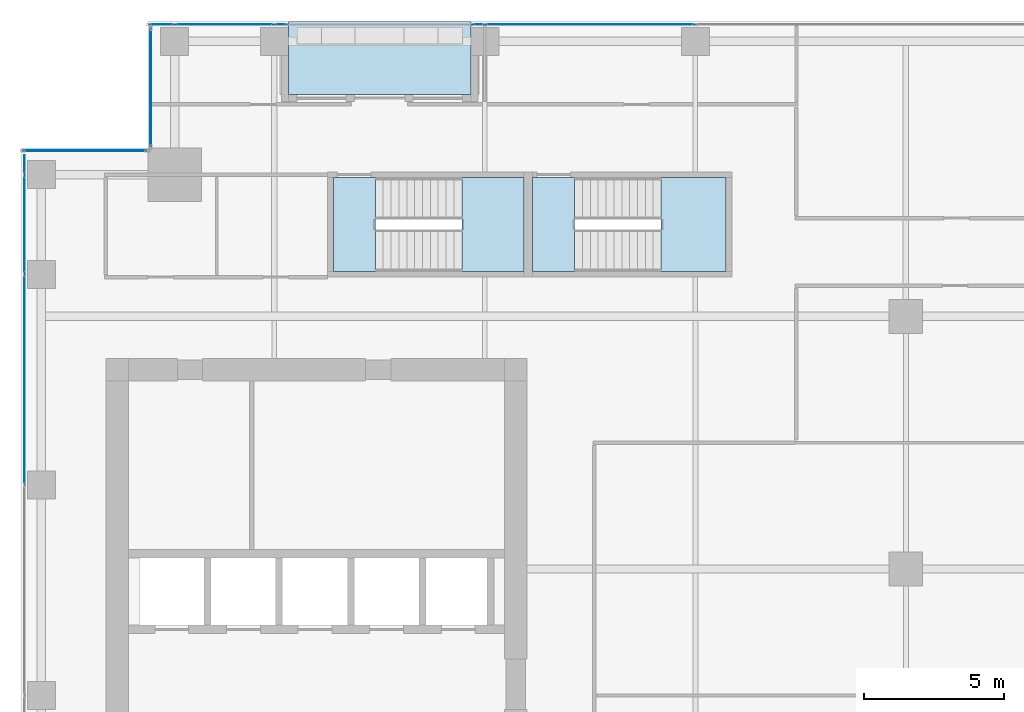
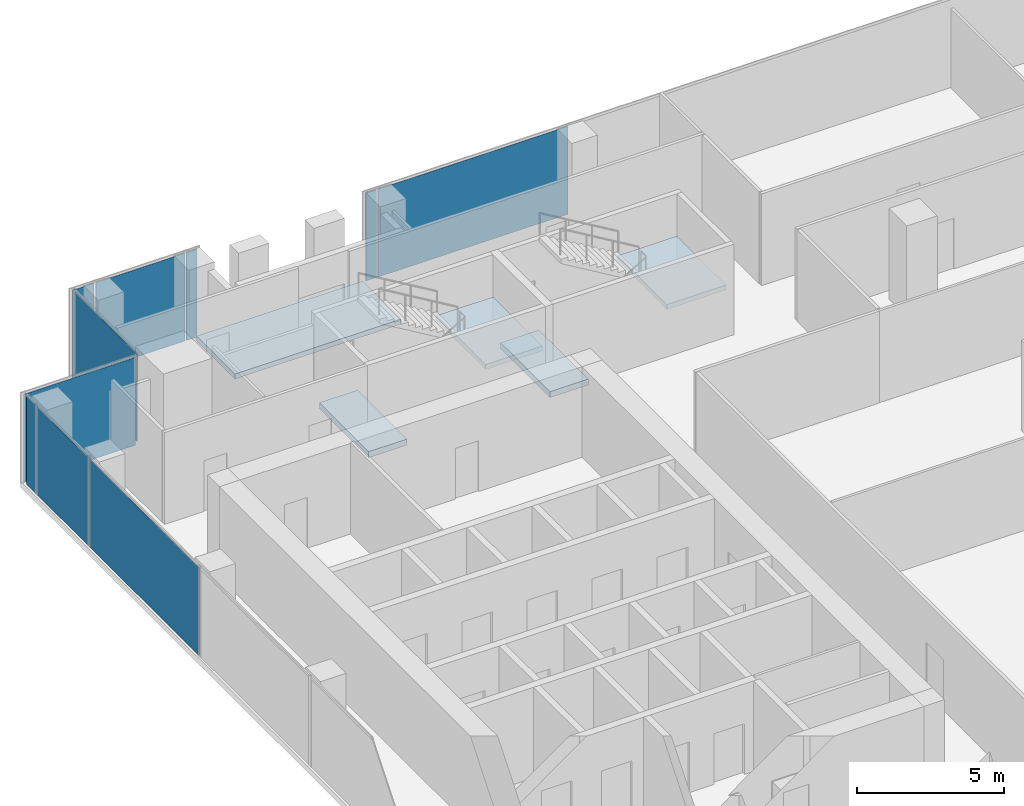
# One storey, part 30 of 38: 10 plates, 5 slabs, 7 elements without a shape of their own.
"""IFC4 building model written with IfcOpenShell, lengths in metres."""

from ifc_helpers import new_model, si_unit, direction, frame, origin, origin_2d, place, context, subcontext, project, spatial, polyline, rectangle, outline, extrude, source, transform, mapped, material, layer, layer_set, type_object, element, aggregate, save


model = new_model("IFC4")

# Units and contexts
model_context = context("Model", 3, precision=1e-05, world=origin(), true_north=direction((0.0, 1.0)))
body_context = subcontext(model_context, "Body", "Model", "MODEL_VIEW")
ifc_project = project(units=[si_unit("LENGTHUNIT", "METRE"), si_unit("AREAUNIT", "SQUARE_METRE"), si_unit("VOLUMEUNIT", "CUBIC_METRE"), si_unit("PLANEANGLEUNIT", "RADIAN"), si_unit("MASSUNIT", "GRAM", prefix="KILO")], contexts=[model_context])

# Site, building, storey
site_placement = place(None, origin())
site = spatial("IfcSite", under=ifc_project, at=site_placement, CompositionType="ELEMENT")
building_placement = place(site_placement, origin())
building = spatial("IfcBuilding", under=site, at=building_placement, Name="Khomas Fold Tower", CompositionType="ELEMENT")
storey_placement = place(building_placement, frame((0.0, 0.0, 196.699951171875)))
storey = spatial("IfcBuildingStorey", under=building, at=storey_placement, Name="L43", CompositionType="ELEMENT", Elevation=196.699951171875)

# Curtain wall, plate
ifc_material_1 = material(Name="Aluminium framed double glazing", Category="aluminium")
curtain_wall_type = type_object("IfcCurtainWallType", Name="SK-Unitised clear-glass wall, office floors CW2", PredefinedType="NOTDEFINED", material=ifc_material_1)
curtain_wall_1_placement = place(storey_placement, origin())
curtain_wall_1 = element("IfcCurtainWall", 1, at=curtain_wall_1_placement, inside=storey, type_object=curtain_wall_type, Name="CW2 corner return L43 08", PredefinedType="NOTDEFINED")
ifc_material_2 = material(Name="Clear double glazed unit")
ifc_layer_1 = layer(ifc_material_2, 0.030029296875)
ifc_layer_set_1 = layer_set([ifc_layer_1], Name="Clear double glazed unit")
plate_type = type_object("IfcPlateType", Name="SK-Unitised clear-glass wall, office floors glass panel CW2-P", PredefinedType="CURTAIN_PANEL", material=ifc_layer_set_1)
shared_shape_1 = source(origin(), body_context, "Body", "SweptSolid", [
    extrude(rectangle(XDim=4.3798828125, YDim=0.030029296875, at=origin_2d()), origin(), (0.0, 0.0, 1.0), 3.639892578125),
])
plate_1_placement = place(storey_placement, frame((5.25, 46.39990234375, 0.0), z_axis=(0.0, 0.0, 1.0), x_axis=(-1.0, 0.0, 0.0)))
plate_1 = element("IfcPlate", 2, at=plate_1_placement, type_object=plate_type, Name="CW2 glass panel 1", PredefinedType="CURTAIN_PANEL", context=body_context, shape_type="MappedRepresentation", body=[
    mapped(shared_shape_1, transform((0.0, 0.0, 0.0))),
])
aggregate(curtain_wall_1, [plate_1])

curtain_wall_2_placement = place(storey_placement, origin())
curtain_wall_2 = element("IfcCurtainWall", 3, at=curtain_wall_2_placement, inside=storey, type_object=curtain_wall_type, Name="CW2 run L43 09-0", PredefinedType="NOTDEFINED")
shared_shape_2 = source(origin(), body_context, "Body", "SweptSolid", [
    extrude(rectangle(XDim=0.659912109375, YDim=0.030029296875, at=origin_2d()), origin(), (0.0, 0.0, 1.0), 3.639892578125),
])
plate_2_placement = place(storey_placement, frame((3.10009765625, 45.909912109375, 0.0), z_axis=(0.0, 0.0, 1.0), x_axis=(0.0, -1.0, 0.0)))
plate_2 = element("IfcPlate", 4, at=plate_2_placement, type_object=plate_type, Name="CW2 glass panel 1", PredefinedType="CURTAIN_PANEL", context=body_context, shape_type="MappedRepresentation", body=[
    mapped(shared_shape_2, transform((0.0, 0.0, 0.0))),
])

curtain_wall_3_placement = place(storey_placement, origin())
curtain_wall_3 = element("IfcCurtainWall", 5, at=curtain_wall_3_placement, inside=storey, type_object=curtain_wall_type, Name="CW2 run L43 06-1", PredefinedType="NOTDEFINED")
shared_shape_3 = source(origin(), body_context, "Body", "SweptSolid", [
    extrude(rectangle(XDim=3.489990234375, YDim=0.030029296875, at=origin_2d()), origin(), (0.0, 0.0, 1.0), 3.639892578125),
])
plate_3_placement = place(storey_placement, frame((10.22509765625, 50.89990234375, 0.0), z_axis=(0.0, 0.0, 1.0), x_axis=(-1.0, 0.0, 0.0)))
plate_3 = element("IfcPlate", 6, at=plate_3_placement, type_object=plate_type, Name="CW2 glass panel 2", PredefinedType="CURTAIN_PANEL", context=body_context, shape_type="MappedRepresentation", body=[
    mapped(shared_shape_3, transform((0.0, 0.0, 0.0))),
])

# Plate
plate_4_placement = place(storey_placement, frame((3.10009765625, 43.77490234375, 0.0), z_axis=(0.0, 0.0, 1.0), x_axis=(0.0, -1.0, 0.0)))
plate_4 = element("IfcPlate", 7, at=plate_4_placement, type_object=plate_type, Name="CW2 glass panel 2", PredefinedType="CURTAIN_PANEL", context=body_context, shape_type="MappedRepresentation", body=[
    mapped(shared_shape_3, transform((0.0, 0.0, 0.0))),
])

# Curtain wall, plate
curtain_wall_4_placement = place(storey_placement, origin())
curtain_wall_4 = element("IfcCurtainWall", 8, at=curtain_wall_4_placement, inside=storey, type_object=curtain_wall_type, Name="CW2 run L43 06-0", PredefinedType="NOTDEFINED")
shared_shape_4 = source(origin(), body_context, "Body", "SweptSolid", [
    extrude(rectangle(XDim=7.43994140625, YDim=0.030029296875, at=origin_2d()), origin(), (0.0, 0.0, 1.0), 3.639892578125),
])
plate_5_placement = place(storey_placement, frame((23.25, 50.89990234375, 0.0), z_axis=(0.0, 0.0, 1.0), x_axis=(-1.0, 0.0, 0.0)))
plate_5 = element("IfcPlate", 9, at=plate_5_placement, type_object=plate_type, Name="CW2 glass panel 3", PredefinedType="CURTAIN_PANEL", context=body_context, shape_type="MappedRepresentation", body=[
    mapped(shared_shape_4, transform((0.0, 0.0, 0.0))),
])

# Plate
plate_6_placement = place(storey_placement, frame((3.10009765625, 38.25, 0.0), z_axis=(0.0, 0.0, 1.0), x_axis=(0.0, -1.0, 0.0)))
plate_6 = element("IfcPlate", 10, at=plate_6_placement, type_object=plate_type, Name="CW2 glass panel 3", PredefinedType="CURTAIN_PANEL", context=body_context, shape_type="MappedRepresentation", body=[
    mapped(shared_shape_4, transform((0.0, 0.0, 0.0))),
])

aggregate(curtain_wall_2, [plate_2, plate_4, plate_6])

# Curtain wall, plate
curtain_wall_5_placement = place(storey_placement, origin())
curtain_wall_5 = element("IfcCurtainWall", 11, at=curtain_wall_5_placement, inside=storey, type_object=curtain_wall_type, Name="CW2 corner return L43 07", PredefinedType="NOTDEFINED")
shared_shape_5 = source(origin(), body_context, "Body", "SweptSolid", [
    extrude(rectangle(XDim=4.179931640625, YDim=0.030029296875, at=origin_2d()), origin(), (0.0, 0.0, 1.0), 3.639892578125),
])
plate_7_placement = place(storey_placement, frame((7.60009765625, 48.64990234375, 0.0), z_axis=(0.0, 0.0, 1.0), x_axis=(0.0, -1.0, 0.0)))
plate_7 = element("IfcPlate", 12, at=plate_7_placement, type_object=plate_type, Name="CW2 glass panel 1", PredefinedType="CURTAIN_PANEL", context=body_context, shape_type="MappedRepresentation", body=[
    mapped(shared_shape_5, transform((0.0, 0.0, 0.0))),
])
aggregate(curtain_wall_5, [plate_7])

# Plate
shared_shape_6 = source(origin(), body_context, "Body", "SweptSolid", [
    extrude(rectangle(XDim=0.409912109375, YDim=0.030029296875, at=origin_2d()), origin(), (0.0, 0.0, 1.0), 3.639892578125),
])
plate_8_placement = place(storey_placement, frame((19.264892578125, 50.89990234375, 0.0), z_axis=(0.0, 0.0, 1.0), x_axis=(-1.0, 0.0, 0.0)))
plate_8 = element("IfcPlate", 13, at=plate_8_placement, type_object=plate_type, Name="CW2 glass panel 4", PredefinedType="CURTAIN_PANEL", context=body_context, shape_type="MappedRepresentation", body=[
    mapped(shared_shape_6, transform((0.0, 0.0, 0.0))),
])

aggregate(curtain_wall_4, [plate_5, plate_8])

plate_9_placement = place(storey_placement, frame((12.235107421875, 50.89990234375, 0.0), z_axis=(0.0, 0.0, 1.0), x_axis=(-1.0, 0.0, 0.0)))
plate_9 = element("IfcPlate", 14, at=plate_9_placement, type_object=plate_type, Name="CW2 glass panel 1", PredefinedType="CURTAIN_PANEL", context=body_context, shape_type="MappedRepresentation", body=[
    mapped(shared_shape_6, transform((0.0, 0.0, 0.0))),
])

shared_shape_7 = source(origin(), body_context, "Body", "SweptSolid", [
    extrude(rectangle(XDim=0.860107421875, YDim=0.030029296875, at=origin_2d()), origin(), (0.0, 0.0, 1.0), 3.639892578125),
])
plate_10_placement = place(storey_placement, frame((7.989990234375, 50.89990234375, 0.0), z_axis=(0.0, 0.0, 1.0), x_axis=(-1.0, 0.0, 0.0)))
plate_10 = element("IfcPlate", 15, at=plate_10_placement, type_object=plate_type, Name="CW2 glass panel 3", PredefinedType="CURTAIN_PANEL", context=body_context, shape_type="MappedRepresentation", body=[
    mapped(shared_shape_7, transform((0.0, 0.0, 0.0))),
])

aggregate(curtain_wall_3, [plate_9, plate_3, plate_10])

# Slab
ifc_material_3 = material(Name="Concrete C40/50", Category="concrete")
ifc_layer_2 = layer(ifc_material_3, 0.205078125)
ifc_layer_set_2 = layer_set([ifc_layer_2], Name="Concrete C40/50")
slab_type_1 = type_object("IfcSlabType", Name="BL-Balcony deck 205", PredefinedType="FLOOR", material=ifc_layer_set_2)
shared_shape_8 = source(origin(), body_context, "Body", "SweptSolid", [
    extrude(outline(polyline([(12.5, 48.39990234375), (19.0, 48.39990234375), (19.0, 51.0), (12.5, 51.0), (12.5, 48.39990234375)])), origin(), (0.0, 0.0, 1.0), 0.205078125),
])
slab_1_placement = place(storey_placement, frame((0.0, 0.0, -0.25)))
element("IfcSlab", 16, at=slab_1_placement, inside=storey, type_object=slab_type_1, Name="Balcony deck BAL-L43-N1", PredefinedType="FLOOR", context=body_context, shape_type="MappedRepresentation", body=[
    mapped(shared_shape_8, transform((0.0, 0.0, 0.0))),
])

# Stair, slab
ifc_material_4 = material(Name="Concrete C40/50", Category="concrete")
stair_type_1 = type_object("IfcStairType", Name="Stair ST1", PredefinedType="HALF_TURN_STAIR", material=ifc_material_4)
stair_1_placement = place(storey_placement, origin())
stair_1 = element("IfcStair", 17, at=stair_1_placement, inside=storey, type_object=stair_type_1, Name="L43 ST1", PredefinedType="HALF_TURN_STAIR")
ifc_material_5 = material(Name="Concrete C40/50", Category="concrete")
ifc_layer_3 = layer(ifc_material_5, 0.199951171875)
ifc_layer_set_3 = layer_set([ifc_layer_3], Name="Concrete C40/50")
slab_type_2 = type_object("IfcSlabType", Name="Stair landing 200", PredefinedType="LANDING", material=ifc_layer_set_3)
shared_shape_9 = source(origin(), body_context, "Body", "SweptSolid", [
    extrude(outline(polyline([(18.679931640625, 42.10009765625), (20.89990234375, 42.10009765625), (20.89990234375, 45.449951171875), (18.679931640625, 45.449951171875), (18.679931640625, 42.10009765625)])), origin(), (0.0, 0.0, 1.0), 0.199951171875),
])
slab_2_placement = place(storey_placement, frame((0.0, 0.0, 1.800048828125)))
slab_2 = element("IfcSlab", 18, at=slab_2_placement, type_object=slab_type_2, Name="ST1 landing 1", PredefinedType="LANDING", context=body_context, shape_type="MappedRepresentation", body=[
    mapped(shared_shape_9, transform((0.0, 0.0, 0.0))),
])
aggregate(stair_1, [slab_2])

# Slab
ifc_material_6 = material(Name="Concrete C40/50", Category="concrete")
ifc_layer_4 = layer(ifc_material_6, 0.25)
ifc_layer_set_4 = layer_set([ifc_layer_4], Name="Concrete C40/50")
slab_type_3 = type_object("IfcSlabType", Name="Stair floor landing 250", PredefinedType="LANDING", material=ifc_layer_set_4)
shared_shape_10 = source(origin(), body_context, "Body", "SweptSolid", [
    extrude(outline(polyline([(15.60009765625, 42.10009765625), (14.10009765625, 42.10009765625), (14.10009765625, 45.449951171875), (15.60009765625, 45.449951171875), (15.60009765625, 42.10009765625)])), origin(), (0.0, 0.0, 1.0), 0.25),
])
slab_3_placement = place(storey_placement, frame((0.0, 0.0, -0.25)))
element("IfcSlab", 19, at=slab_3_placement, inside=storey, type_object=slab_type_3, Name="ST1 floor landing", PredefinedType="LANDING", context=body_context, shape_type="MappedRepresentation", body=[
    mapped(shared_shape_10, transform((0.0, 0.0, 0.0))),
])

# Stair, slab
ifc_material_7 = material(Name="Concrete C40/50", Category="concrete")
stair_type_2 = type_object("IfcStairType", Name="Stair ST3", PredefinedType="HALF_TURN_STAIR", material=ifc_material_7)
stair_2_placement = place(storey_placement, origin())
stair_2 = element("IfcStair", 20, at=stair_2_placement, inside=storey, type_object=stair_type_2, Name="L43 ST3", PredefinedType="HALF_TURN_STAIR")
shared_shape_11 = source(origin(), body_context, "Body", "SweptSolid", [
    extrude(outline(polyline([(25.780029296875, 42.10009765625), (28.10009765625, 42.10009765625), (28.10009765625, 45.449951171875), (25.780029296875, 45.449951171875), (25.780029296875, 42.10009765625)])), origin(), (0.0, 0.0, 1.0), 0.199951171875),
])
slab_4_placement = place(storey_placement, frame((0.0, 0.0, 1.800048828125)))
slab_4 = element("IfcSlab", 21, at=slab_4_placement, type_object=slab_type_2, Name="ST3 landing 1", PredefinedType="LANDING", context=body_context, shape_type="MappedRepresentation", body=[
    mapped(shared_shape_11, transform((0.0, 0.0, 0.0))),
])
aggregate(stair_2, [slab_4])

# Slab
shared_shape_12 = source(origin(), body_context, "Body", "SweptSolid", [
    extrude(outline(polyline([(22.699951171875, 42.10009765625), (21.199951171875, 42.10009765625), (21.199951171875, 45.449951171875), (22.699951171875, 45.449951171875), (22.699951171875, 42.10009765625)])), origin(), (0.0, 0.0, 1.0), 0.25),
])
slab_5_placement = place(storey_placement, frame((0.0, 0.0, -0.25)))
element("IfcSlab", 22, at=slab_5_placement, inside=storey, type_object=slab_type_3, Name="ST3 floor landing", PredefinedType="LANDING", context=body_context, shape_type="MappedRepresentation", body=[
    mapped(shared_shape_12, transform((0.0, 0.0, 0.0))),
])

save(model, "model.ifc")
